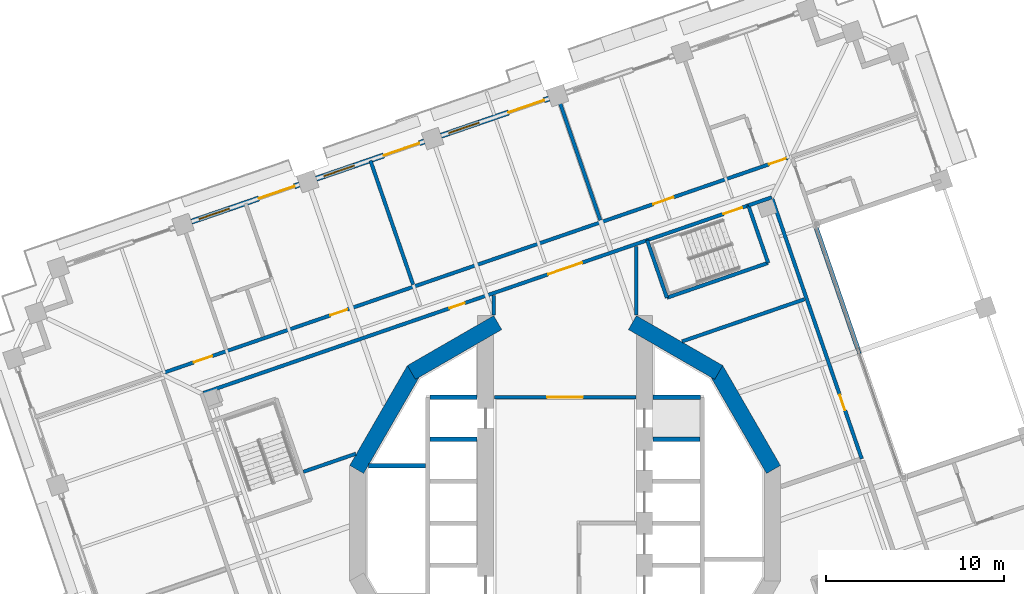
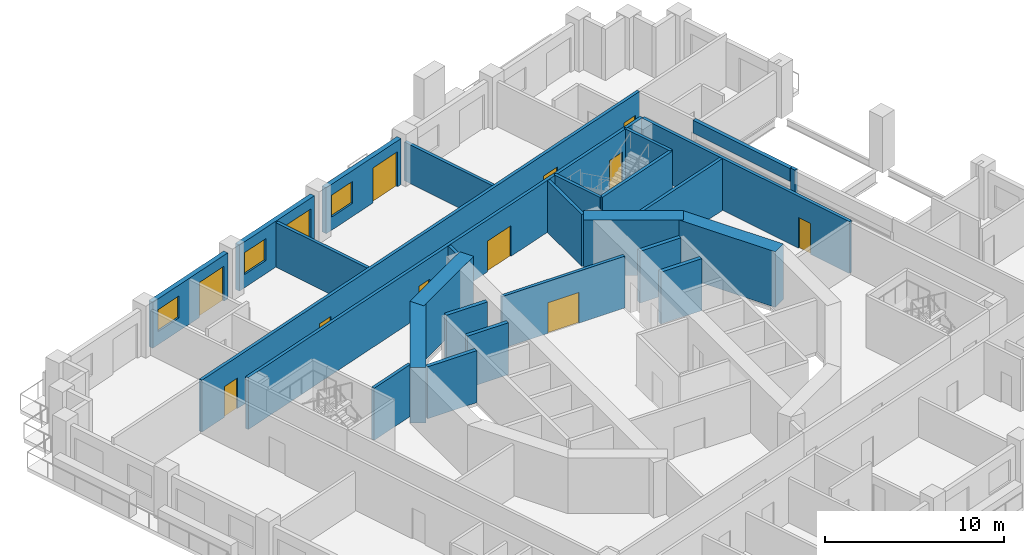
# One storey, part 11 of 19: 29 walls, 12 doors, 3 windows, 15 openings.
"""IFC4 building model written with IfcOpenShell, lengths in metres."""

import ifcopenshell
import ifcopenshell.guid

model = None  # the IFC model being written
_history = None  # IfcOwnerHistory: only IFC2X3 demands one
_inside = {}  # id of a spatial element -> (the spatial element, [elements in it])
_under = {}  # id of a project, library or spatial element -> (it, [spatial elements below it])
_declared = {}  # id of a project -> (the project, [libraries it declares])
_typed = {}  # id of a type object -> (the type object, [elements of that type])
_made_of = {}  # id of a material, layer set ... -> (it, [elements and type objects made of it])


def new_model(schema):
    """Start an empty IFC model of exactly this schema.

    Asked for "IFC4X3", IfcOpenShell would pick the latest addendum, in which some entities
    have other attributes; the version numbers below select the first issue.
    IFC2X3 requires an IfcOwnerHistory on every rooted entity: one is made here for all.
    """
    global model, _history
    if schema == "IFC4X3":
        model = ifcopenshell.file(schema_version=(4, 3, 0, 0))
    else:
        model = ifcopenshell.file(schema=schema)
    _inside.clear()
    _under.clear()
    _declared.clear()
    _typed.clear()
    _made_of.clear()
    _history = None
    if model.schema == "IFC2X3":
        org = make("IfcOrganization", Name="unknown")
        user = make(
            "IfcPersonAndOrganization",
            ThePerson=make("IfcPerson", FamilyName="unknown"),
            TheOrganization=org,
        )
        app = make(
            "IfcApplication",
            ApplicationDeveloper=org,
            Version="unknown",
            ApplicationFullName="unknown",
            ApplicationIdentifier="unknown",
        )
        _history = make(
            "IfcOwnerHistory",
            OwningUser=user,
            OwningApplication=app,
            ChangeAction="ADDED",
            CreationDate=0,
        )
    return model


def make(cls, **values):
    """One entity of the class cls with the attributes given. An attribute that is None is left unset."""
    return model.create_entity(
        cls, **{name: value for name, value in values.items() if value is not None}
    )


def rooted(cls, **values):
    """An entity with a GlobalId (a new one), such as an element, a storey or a relation."""
    return make(cls, GlobalId=ifcopenshell.guid.new(), OwnerHistory=_history, **values)


def si_unit(unit_type, name, prefix=None):
    """IfcSIUnit, for example si_unit("LENGTHUNIT", "METRE", prefix="MILLI")."""
    return make("IfcSIUnit", UnitType=unit_type, Prefix=prefix, Name=name)


def assignment(units):
    """IfcUnitAssignment: the units of a project."""
    return None if units is None else make("IfcUnitAssignment", Units=units)


def point(xyz):
    """IfcCartesianPoint."""
    return None if xyz is None else make("IfcCartesianPoint", Coordinates=xyz)


def direction(xyz):
    """IfcDirection."""
    return None if xyz is None else make("IfcDirection", DirectionRatios=xyz)


def frame(location, z_axis=None, x_axis=None):
    """IfcAxis2Placement3D, a coordinate frame: its origin and axes. An axis left out is left unset."""
    return make(
        "IfcAxis2Placement3D",
        Location=point(location),
        Axis=direction(z_axis),
        RefDirection=direction(x_axis),
    )


def frame_2d(location, x_axis=None):
    """IfcAxis2Placement2D, a coordinate frame in the plane: its origin and x axis."""
    return make(
        "IfcAxis2Placement2D", Location=point(location), RefDirection=direction(x_axis)
    )


def origin():
    """The frame at (0, 0, 0) with its axes left unset."""
    return frame((0.0, 0.0, 0.0))


def place(relative_to, where):
    """IfcLocalPlacement: puts the frame where relative to a parent placement (None: the world)."""
    return make(
        "IfcLocalPlacement", PlacementRelTo=relative_to, RelativePlacement=where
    )


def context(
    kind, dimensions, precision=None, world=None, true_north=None, identifier=None
):
    """IfcGeometricRepresentationContext, for example the 3D "Model" context."""
    return make(
        "IfcGeometricRepresentationContext",
        ContextIdentifier=identifier,
        ContextType=kind,
        CoordinateSpaceDimension=dimensions,
        Precision=precision,
        WorldCoordinateSystem=world,
        TrueNorth=true_north,
    )


def subcontext(parent, identifier, kind, view, scale=None):
    """IfcGeometricRepresentationSubContext, for example "Body" below "Model"."""
    return make(
        "IfcGeometricRepresentationSubContext",
        ContextIdentifier=identifier,
        ContextType=kind,
        ParentContext=parent,
        TargetScale=scale,
        TargetView=view,
    )


def project(units=None, contexts=None):
    """IfcProject with its units and contexts."""
    return rooted(
        "IfcProject",
        Name="project",
        RepresentationContexts=contexts,
        UnitsInContext=assignment(units),
    )


def spatial(cls, under=None, at=None, **own):
    """A site, building, storey or space (cls), placed at a placement, below another one or the project."""
    s = rooted(cls, ObjectPlacement=at, **own)
    if under is not None:
        _under.setdefault(under.id(), (under, []))[1].append(s)
    return s


def profile(cls, at=None, kind="AREA", **sizes):
    """A parametric profile (cls). Its sizes go by their IFC names, for example OverallWidth=200.0."""
    return make(cls, ProfileType=kind, Position=at, **sizes)


def rectangle(**sizes):
    """IfcRectangleProfileDef."""
    return profile("IfcRectangleProfileDef", **sizes)


def extrude(swept, where, along, depth):
    """IfcExtrudedAreaSolid: the profile swept, set in the frame where, extruded along a direction by depth."""
    return make(
        "IfcExtrudedAreaSolid",
        SweptArea=swept,
        Position=where,
        ExtrudedDirection=direction(along),
        Depth=depth,
    )


def shape(context_of_items, identifier, shape_type, items):
    """IfcShapeRepresentation: the items that make up one representation, for example the "Body"."""
    return make(
        "IfcShapeRepresentation",
        ContextOfItems=context_of_items,
        RepresentationIdentifier=identifier,
        RepresentationType=shape_type,
        Items=items,
    )


def material(Name=None, Category=None):
    """IfcMaterial."""
    return make("IfcMaterial", Name=Name, Category=Category)


def layer(
    of_material, thickness, ventilated=None, Name=None, Category=None, Priority=None
):
    """IfcMaterialLayer: one layer of a wall or slab, of a material (None: an air gap)."""
    return make(
        "IfcMaterialLayer",
        Material=of_material,
        LayerThickness=thickness,
        IsVentilated=ventilated,
        Name=Name,
        Category=Category,
        Priority=Priority,
    )


def layer_set(layers, Name=None):
    """IfcMaterialLayerSet."""
    return make("IfcMaterialLayerSet", MaterialLayers=layers, LayerSetName=Name)


def made_of(thing, what):
    """Note that an element or type object is made of a material, layer set ...; save() writes the relation."""
    if what is not None:
        _made_of.setdefault(what.id(), (what, []))[1].append(thing)
    return thing


def type_object(cls, material=None, **own):
    """A type object (cls), such as IfcWallType, which elements share."""
    return made_of(rooted(cls, **own), material)


def element(
    cls,
    number,
    at=None,
    inside=None,
    cuts=None,
    type_object=None,
    material=None,
    context=None,
    identifier="Body",
    shape_type=None,
    held_by="IfcProductDefinitionShape",
    body=None,
    shapes=None,
    **own,
):
    """One element of the class cls, such as IfcWall. Its Tag is "e" and its number.

    at: its placement. inside: the storey or other place that contains it. cuts: it is an
    opening in that element (IfcRelVoidsElement). A single representation is given by context,
    identifier, shape_type and body (its items); several are given by shapes. held_by: the class
    of the entity that holds the representations. save() writes the other relations.
    """
    e = rooted(cls, Tag="e%d" % number, ObjectPlacement=at, **own)
    if body is not None:
        shapes = [shape(context, identifier, shape_type, body)]
    if shapes is not None:
        e.Representation = make(held_by, Representations=shapes)
    if inside is not None:
        _inside.setdefault(inside.id(), (inside, []))[1].append(e)
    if cuts is not None:
        rooted(
            "IfcRelVoidsElement", RelatingBuildingElement=cuts, RelatedOpeningElement=e
        )
    if type_object is not None:
        _typed.setdefault(type_object.id(), (type_object, []))[1].append(e)
    return made_of(e, material)


def fill(opening, filler):
    """IfcRelFillsElement: the door or window that sits in an opening."""
    return rooted(
        "IfcRelFillsElement",
        RelatingOpeningElement=opening,
        RelatedBuildingElement=filler,
    )


def aggregate(whole, parts):
    """IfcRelAggregates: a whole, such as a stair, and the parts it consists of."""
    return rooted("IfcRelAggregates", RelatingObject=whole, RelatedObjects=parts)


def save(model, path):
    """Write the relations noted so far, then the file.

    IfcRelAggregates (storeys below a building ...), IfcRelContainedInSpatialStructure (elements
    in a storey), IfcRelDefinesByType, IfcRelAssociatesMaterial and IfcRelDeclares: one each for
    every whole, place, type object, material and project.
    """
    for whole, parts in _under.values():
        aggregate(whole, parts)
    for where, things in _inside.values():
        rooted(
            "IfcRelContainedInSpatialStructure",
            RelatedElements=things,
            RelatingStructure=where,
        )
    for kind, things in _typed.values():
        rooted("IfcRelDefinesByType", RelatedObjects=things, RelatingType=kind)
    for what, things in _made_of.values():
        rooted("IfcRelAssociatesMaterial", RelatedObjects=things, RelatingMaterial=what)
    for by, libraries in _declared.values():
        rooted("IfcRelDeclares", RelatingContext=by, RelatedDefinitions=libraries)
    model.write(path)


model = new_model("IFC4")

# Units and contexts
model_context = context("Model", 3, precision=1e-05, world=origin(), true_north=direction((0.0, 1.0)))
body_context = subcontext(model_context, "Body", "Model", "MODEL_VIEW")
ifc_project = project(units=[si_unit("LENGTHUNIT", "METRE"), si_unit("AREAUNIT", "SQUARE_METRE"), si_unit("VOLUMEUNIT", "CUBIC_METRE"), si_unit("PLANEANGLEUNIT", "RADIAN"), si_unit("MASSUNIT", "GRAM", prefix="KILO")], contexts=[model_context])

# Site, building, storey
site_placement = place(None, origin())
site = spatial("IfcSite", under=ifc_project, at=site_placement, CompositionType="ELEMENT")
building_placement = place(site_placement, origin())
building = spatial("IfcBuilding", under=site, at=building_placement, Name="Cantera Rosa Tower", CompositionType="ELEMENT")
storey_placement = place(building_placement, frame((0.0, 0.0, 126.89990234375)))
storey = spatial("IfcBuildingStorey", under=building, at=storey_placement, Name="L26", CompositionType="ELEMENT", Elevation=126.89990234375)

# Wall
ifc_material_1 = material(Name="Gypsum board partition")
ifc_layer_1 = layer(ifc_material_1, 0.199951171875)
ifc_layer_set_1 = layer_set([ifc_layer_1], Name="CORRIDOR WALL 200 H3550")
wall_type_1 = type_object("IfcWallType", Name="CORRIDOR WALL 200 H3550", PredefinedType="PARTITIONING", material=ifc_layer_set_1)
wall_1_placement = place(storey_placement, frame((-4.0, 12.760498046875, 0.0), z_axis=(0.0, 0.0, 1.0), x_axis=(0.0, -1.0, 0.0)))
element("IfcWall", 1, at=wall_1_placement, inside=storey, type_object=wall_type_1, Name="CORRIDOR WALL L26-043", PredefinedType="PARTITIONING", context=body_context, shape_type="SweptSolid", body=[
    extrude(rectangle(XDim=1.09326171875, YDim=0.199951171875, at=frame_2d((0.546630859375, 0.0))), origin(), (0.0, 0.0, 1.0), 3.550048828125),
])

# Wall, opening, door
wall_2_placement = place(storey_placement, frame((-3.969970703125, 7.050048828125, 0.0), z_axis=(0.0, 0.0, 1.0), x_axis=(1.0, 0.0, 0.0)))
wall_2 = element("IfcWall", 2, at=wall_2_placement, inside=storey, type_object=wall_type_1, Name="CORRIDOR WALL L26-044", PredefinedType="PARTITIONING", context=body_context, shape_type="SweptSolid", body=[
    extrude(rectangle(XDim=7.93994140625, YDim=0.199951171875, at=frame_2d((3.969970703125, 0.0))), origin(), (0.0, 0.0, 1.0), 3.550048828125),
])
opening_1_placement = place(wall_2_placement, frame((2.969970703125, 0.0, 0.0)))
opening_1 = element("IfcOpeningElement", 3, at=opening_1_placement, cuts=wall_2, Name="Opening L26-010", PredefinedType="OPENING", context=body_context, shape_type="SweptSolid", body=[
    extrude(rectangle(XDim=2.0, YDim=2.10009765625, at=frame_2d((1.0, 1.050048828125))), frame((0.0, 0.10986328125, 0.0), z_axis=(0.0, -1.0, 0.0), x_axis=(1.0, 0.0, 0.0)), (0.0, 0.0, 1.0), 0.219970703125),
])
ifc_material_2 = material(Name="Steel S355J2 (EN 10025-2)", Category="steel")
door_type_1 = type_object("IfcDoorType", Name="LOBBY SCREEN DOOR 2000x2100", OperationType="NOTDEFINED", PredefinedType="DOOR", material=ifc_material_2)
door_1_placement = place(opening_1_placement, origin())
door_1 = element("IfcDoor", 4, at=door_1_placement, inside=storey, type_object=door_type_1, Name="DOOR L26-010", OperationType="NOTDEFINED", OverallHeight=2.10009765625, OverallWidth=2.0, PredefinedType="DOOR", context=body_context, shape_type="SweptSolid", body=[
    extrude(rectangle(XDim=2.0, YDim=2.10009765625, at=frame_2d((1.0, 1.050048828125))), frame((0.0, 0.02490234375, 0.0), z_axis=(0.0, -1.0, 0.0), x_axis=(1.0, 0.0, 0.0)), (0.0, 0.0, 1.0), 0.050048828125),
])
fill(opening_1, door_1)

# Wall
wall_3_placement = place(storey_placement, frame((4.0, 15.51513671875, 0.0), z_axis=(0.0, 0.0, 1.0), x_axis=(0.0, -1.0, 0.0)))
element("IfcWall", 5, at=wall_3_placement, inside=storey, type_object=wall_type_1, Name="CORRIDOR WALL L26-056", PredefinedType="PARTITIONING", context=body_context, shape_type="SweptSolid", body=[
    extrude(rectangle(XDim=3.847900390625, YDim=0.199951171875, at=frame_2d((1.923828125, 0.0))), origin(), (0.0, 0.0, 1.0), 3.550048828125),
])

# Wall, openings, doors
wall_4_placement = place(storey_placement, frame((4.599365234375, 15.861572265625, 0.0), z_axis=(0.0, 0.0, 1.0), x_axis=(-0.94551912499, -0.325566558907, 0.0)))
wall_4 = element("IfcWall", 6, at=wall_4_placement, inside=storey, type_object=wall_type_1, Name="CORRIDOR WALL L26-057", PredefinedType="PARTITIONING", context=body_context, shape_type="SweptSolid", body=[
    extrude(rectangle(XDim=26.292724609375, YDim=0.199951171875, at=frame_2d((13.146484375, 0.0))), origin(), (0.0, 0.0, 1.0), 3.550048828125),
])
opening_2_placement = place(wall_4_placement, frame((10.8095703125, 0.0, 0.0)))
opening_2 = element("IfcOpeningElement", 7, at=opening_2_placement, cuts=wall_4, Name="Opening L26-005", PredefinedType="OPENING", context=body_context, shape_type="SweptSolid", body=[
    extrude(rectangle(XDim=0.89990234375, YDim=2.10009765625, at=frame_2d((0.449951171875, 1.050048828125))), frame((0.0, 0.10986328125, 0.0), z_axis=(0.0, -1.0, 0.0), x_axis=(1.0, 0.0, 0.0)), (0.0, 0.0, 1.0), 0.219970703125),
])
opening_3_placement = place(wall_4_placement, frame((3.864501953125, 0.0, 0.0)))
opening_3 = element("IfcOpeningElement", 8, at=opening_3_placement, cuts=wall_4, Name="Opening L26-009", PredefinedType="OPENING", context=body_context, shape_type="SweptSolid", body=[
    extrude(rectangle(XDim=2.0, YDim=2.10009765625, at=frame_2d((1.0, 1.050048828125))), frame((0.0, 0.10986328125, 0.0), z_axis=(0.0, -1.0, 0.0), x_axis=(1.0, 0.0, 0.0)), (0.0, 0.0, 1.0), 0.219970703125),
])
door_2_placement = place(opening_3_placement, origin())
door_2 = element("IfcDoor", 9, at=door_2_placement, inside=storey, type_object=door_type_1, Name="DOOR L26-009", OperationType="NOTDEFINED", OverallHeight=2.10009765625, OverallWidth=2.0, PredefinedType="DOOR", context=body_context, shape_type="SweptSolid", body=[
    extrude(rectangle(XDim=2.0, YDim=2.10009765625, at=frame_2d((1.0, 1.050048828125))), frame((0.0, 0.02490234375, 0.0), z_axis=(0.0, -1.0, 0.0), x_axis=(1.0, 0.0, 0.0)), (0.0, 0.0, 1.0), 0.050048828125),
])
fill(opening_3, door_2)
ifc_material_3 = material(Name="Timber door leaf", Category="wood")
door_type_2 = type_object("IfcDoorType", Name="SERVICE DOOR 900x2100", OperationType="NOTDEFINED", PredefinedType="DOOR", material=ifc_material_3)
door_3_placement = place(opening_2_placement, origin())
door_3 = element("IfcDoor", 10, at=door_3_placement, inside=storey, type_object=door_type_2, Name="DOOR L26-005", OperationType="NOTDEFINED", OverallHeight=2.10009765625, OverallWidth=0.89990234375, PredefinedType="DOOR", context=body_context, shape_type="SweptSolid", body=[
    extrude(rectangle(XDim=0.89990234375, YDim=2.10009765625, at=frame_2d((0.449951171875, 1.050048828125))), frame((0.0, 0.02490234375, 0.0), z_axis=(0.0, -1.0, 0.0), x_axis=(1.0, 0.0, 0.0)), (0.0, 0.0, 1.0), 0.050048828125),
])
fill(opening_2, door_3)

# Wall
wall_5_placement = place(storey_placement, frame((11.583984375, 18.2666015625, 0.0), z_axis=(0.0, 0.0, 1.0), x_axis=(-0.945503834334, -0.325610963052, 0.0)))
element("IfcWall", 11, at=wall_5_placement, inside=storey, type_object=wall_type_1, Name="CORRIDOR WALL L26-076", PredefinedType="PARTITIONING", context=body_context, shape_type="SweptSolid", body=[
    extrude(rectangle(XDim=1.38720703125, YDim=0.199951171875, at=frame_2d((0.693603515625, 0.0))), origin(), (0.0, 0.0, 1.0), 3.550048828125),
])

# Wall, openings, doors
wall_6_placement = place(storey_placement, frame((12.699951171875, 20.5546875, 0.0), z_axis=(0.0, 0.0, 1.0), x_axis=(-0.945517119144, -0.32557238428, 0.0)))
wall_6 = element("IfcWall", 12, at=wall_6_placement, inside=storey, type_object=wall_type_1, Name="CORRIDOR WALL L26-078", PredefinedType="PARTITIONING", context=body_context, shape_type="SweptSolid", body=[
    extrude(rectangle(XDim=37.380126953125, YDim=0.199951171875, at=frame_2d((18.68994140625, 0.0))), origin(), (0.0, 0.0, 1.0), 3.550048828125),
])
opening_4_placement = place(wall_6_placement, frame((7.0, 0.0, 0.0)))
opening_4 = element("IfcOpeningElement", 13, at=opening_4_placement, cuts=wall_6, Name="Opening L26-020", PredefinedType="OPENING", context=body_context, shape_type="SweptSolid", body=[
    extrude(rectangle(XDim=1.199951171875, YDim=2.10009765625, at=frame_2d((0.60009765625, 1.050048828125))), frame((0.0, 0.10986328125, 0.0), z_axis=(0.0, -1.0, 0.0), x_axis=(1.0, 0.0, 0.0)), (0.0, 0.0, 1.0), 0.219970703125),
])
opening_5_placement = place(wall_6_placement, frame((26.35009765625, 0.0, 0.0)))
opening_5 = element("IfcOpeningElement", 14, at=opening_5_placement, cuts=wall_6, Name="Opening L26-021", PredefinedType="OPENING", context=body_context, shape_type="SweptSolid", body=[
    extrude(rectangle(XDim=1.0, YDim=2.10009765625, at=frame_2d((0.5, 1.050048828125))), frame((0.0, 0.10986328125, 0.0), z_axis=(0.0, -1.0, 0.0), x_axis=(1.0, 0.0, 0.0)), (0.0, 0.0, 1.0), 0.219970703125),
])
opening_6_placement = place(wall_6_placement, frame((0.35009765625, 0.0, 0.0)))
opening_6 = element("IfcOpeningElement", 15, at=opening_6_placement, cuts=wall_6, Name="Opening L26-024", PredefinedType="OPENING", context=body_context, shape_type="SweptSolid", body=[
    extrude(rectangle(XDim=1.0, YDim=2.10009765625, at=frame_2d((0.5, 1.050048828125))), frame((0.0, 0.10986328125, 0.0), z_axis=(0.0, -1.0, 0.0), x_axis=(1.0, 0.0, 0.0)), (0.0, 0.0, 1.0), 0.219970703125),
])
opening_7_placement = place(wall_6_placement, frame((34.35009765625, 0.0, 0.0)))
opening_7 = element("IfcOpeningElement", 16, at=opening_7_placement, cuts=wall_6, Name="Opening L26-026", PredefinedType="OPENING", context=body_context, shape_type="SweptSolid", body=[
    extrude(rectangle(XDim=1.10009765625, YDim=2.10009765625, at=frame_2d((0.550048828125, 1.050048828125))), frame((0.0, 0.10986328125, 0.0), z_axis=(0.0, -1.0, 0.0), x_axis=(1.0, 0.0, 0.0)), (0.0, 0.0, 1.0), 0.219970703125),
])
ifc_material_4 = material(Name="Timber door leaf", Category="wood")
door_type_3 = type_object("IfcDoorType", Name="ENTRANCE DOOR 1000x2100", OperationType="NOTDEFINED", PredefinedType="DOOR", material=ifc_material_4)
door_4_placement = place(opening_5_placement, origin())
door_4 = element("IfcDoor", 17, at=door_4_placement, inside=storey, type_object=door_type_3, Name="DOOR L26-021", OperationType="NOTDEFINED", OverallHeight=2.10009765625, OverallWidth=1.0, PredefinedType="DOOR", context=body_context, shape_type="SweptSolid", body=[
    extrude(rectangle(XDim=1.0, YDim=2.10009765625, at=frame_2d((0.5, 1.050048828125))), frame((0.0, 0.02490234375, 0.0), z_axis=(0.0, -1.0, 0.0), x_axis=(1.0, 0.0, 0.0)), (0.0, 0.0, 1.0), 0.050048828125),
])
fill(opening_5, door_4)
door_5_placement = place(opening_6_placement, origin())
door_5 = element("IfcDoor", 18, at=door_5_placement, inside=storey, type_object=door_type_3, Name="DOOR L26-024", OperationType="NOTDEFINED", OverallHeight=2.10009765625, OverallWidth=1.0, PredefinedType="DOOR", context=body_context, shape_type="SweptSolid", body=[
    extrude(rectangle(XDim=1.0, YDim=2.10009765625, at=frame_2d((0.5, 1.050048828125))), frame((0.0, 0.02490234375, 0.0), z_axis=(0.0, -1.0, 0.0), x_axis=(1.0, 0.0, 0.0)), (0.0, 0.0, 1.0), 0.050048828125),
])
fill(opening_6, door_5)
ifc_material_5 = material(Name="Timber door leaf", Category="wood")
door_type_4 = type_object("IfcDoorType", Name="ROOM DOOR 1100x2100", OperationType="NOTDEFINED", PredefinedType="DOOR", material=ifc_material_5)
door_6_placement = place(opening_7_placement, origin())
door_6 = element("IfcDoor", 19, at=door_6_placement, inside=storey, type_object=door_type_4, Name="DOOR L26-026", OperationType="NOTDEFINED", OverallHeight=2.10009765625, OverallWidth=1.10009765625, PredefinedType="DOOR", context=body_context, shape_type="SweptSolid", body=[
    extrude(rectangle(XDim=1.10009765625, YDim=2.10009765625, at=frame_2d((0.550048828125, 1.050048828125))), frame((0.0, 0.02490234375, 0.0), z_axis=(0.0, -1.0, 0.0), x_axis=(1.0, 0.0, 0.0)), (0.0, 0.0, 1.0), 0.050048828125),
])
fill(opening_7, door_6)
ifc_material_6 = material(Name="Timber door leaf", Category="wood")
door_type_5 = type_object("IfcDoorType", Name="ROOM DOOR 1200x2100", OperationType="NOTDEFINED", PredefinedType="DOOR", material=ifc_material_6)
door_7_placement = place(opening_4_placement, origin())
door_7 = element("IfcDoor", 20, at=door_7_placement, inside=storey, type_object=door_type_5, Name="DOOR L26-020", OperationType="NOTDEFINED", OverallHeight=2.10009765625, OverallWidth=1.199951171875, PredefinedType="DOOR", context=body_context, shape_type="SweptSolid", body=[
    extrude(rectangle(XDim=1.199951171875, YDim=2.10009765625, at=frame_2d((0.60009765625, 1.050048828125))), frame((0.0, 0.02490234375, 0.0), z_axis=(0.0, -1.0, 0.0), x_axis=(1.0, 0.0, 0.0)), (0.0, 0.0, 1.0), 0.050048828125),
])
fill(opening_4, door_7)

# Wall, opening, door
wall_7_placement = place(storey_placement, frame((16.63037109375, 3.611083984375, 0.0), z_axis=(0.0, 0.0, 1.0), x_axis=(-0.325562662284, 0.945520466689, 0.0)))
wall_7 = element("IfcWall", 21, at=wall_7_placement, inside=storey, type_object=wall_type_1, Name="CORRIDOR WALL L26-084", PredefinedType="PARTITIONING", context=body_context, shape_type="SweptSolid", body=[
    extrude(rectangle(XDim=15.39990234375, YDim=0.199951171875, at=frame_2d((7.699951171875, 0.0))), origin(), (0.0, 0.0, 1.0), 3.550048828125),
])
opening_8_placement = place(wall_7_placement, frame((2.875, 0.0, 0.0)))
opening_8 = element("IfcOpeningElement", 22, at=opening_8_placement, cuts=wall_7, Name="Opening L26-004", PredefinedType="OPENING", context=body_context, shape_type="SweptSolid", body=[
    extrude(rectangle(XDim=0.89990234375, YDim=2.10009765625, at=frame_2d((0.449951171875, 1.050048828125))), frame((0.0, 0.10986328125, 0.0), z_axis=(0.0, -1.0, 0.0), x_axis=(1.0, 0.0, 0.0)), (0.0, 0.0, 1.0), 0.219970703125),
])
door_8_placement = place(opening_8_placement, origin())
door_8 = element("IfcDoor", 23, at=door_8_placement, inside=storey, type_object=door_type_2, Name="DOOR L26-004", OperationType="NOTDEFINED", OverallHeight=2.10009765625, OverallWidth=0.89990234375, PredefinedType="DOOR", context=body_context, shape_type="SweptSolid", body=[
    extrude(rectangle(XDim=0.89990234375, YDim=2.10009765625, at=frame_2d((0.449951171875, 1.050048828125))), frame((0.0, 0.02490234375, 0.0), z_axis=(0.0, -1.0, 0.0), x_axis=(1.0, 0.0, 0.0)), (0.0, 0.0, 1.0), 0.050048828125),
])
fill(opening_8, door_8)

# Wall
wall_8_placement = place(storey_placement, frame((16.510986328125, 9.486328125, 0.0), z_axis=(0.0, 0.0, 1.0), x_axis=(-0.325038663905, 0.945700728014, 0.0)))
element("IfcWall", 24, at=wall_8_placement, inside=storey, type_object=wall_type_1, Name="CORRIDOR WALL L26-099", PredefinedType="PARTITIONING", context=body_context, shape_type="SweptSolid", body=[
    extrude(rectangle(XDim=0.33203125, YDim=0.199951171875, at=frame_2d((0.166015625, 0.0))), origin(), (0.0, 0.0, 1.0), 3.550048828125),
])

# Wall, openings, window, door
ifc_material_7 = material(Name="Hollow clay masonry with cantera stone cladding", Category="masonry")
ifc_layer_2 = layer(ifc_material_7, 0.300048828125)
ifc_layer_set_2 = layer_set([ifc_layer_2], Name="EW-LOGGIA 300 H3140")
wall_type_2 = type_object("IfcWallType", Name="EW-LOGGIA 300 H3140", PredefinedType="SOLIDWALL", material=ifc_layer_set_2)
wall_9_placement = place(storey_placement, frame((-0.89892578125, 23.80419921875, 0.0), z_axis=(0.0, 0.0, 1.0), x_axis=(-0.945524496524, -0.325550958337, 0.0)))
wall_9 = element("IfcWall", 25, at=wall_9_placement, inside=storey, type_object=wall_type_2, Name="EN-L26-W10", PredefinedType="SOLIDWALL", context=body_context, shape_type="SweptSolid", body=[
    extrude(rectangle(XDim=6.39990234375, YDim=0.300048828125, at=frame_2d((3.199951171875, 0.0))), origin(), (0.0, 0.0, 1.0), 3.14013671875),
])
opening_9_placement = place(wall_9_placement, frame((0.300048828125, 0.0, 0.0)))
opening_9 = element("IfcOpeningElement", 26, at=opening_9_placement, cuts=wall_9, Name="Opening L26-TD11", PredefinedType="OPENING", context=body_context, shape_type="SweptSolid", body=[
    extrude(rectangle(XDim=2.10009765625, YDim=2.39990234375, at=frame_2d((1.050048828125, 1.199951171875))), frame((0.0, 0.159912109375, 0.0), z_axis=(0.0, -1.0, 0.0), x_axis=(1.0, 0.0, 0.0)), (0.0, 0.0, 1.0), 0.320068359375),
])
opening_10_placement = place(wall_9_placement, frame((4.14990234375, 0.0, 0.89990234375)))
opening_10 = element("IfcOpeningElement", 27, at=opening_10_placement, cuts=wall_9, Name="Opening L26-W12", PredefinedType="OPENING", context=body_context, shape_type="SweptSolid", body=[
    extrude(rectangle(XDim=1.800048828125, YDim=1.5, at=frame_2d((0.89990234375, 0.75))), frame((0.0, 0.159912109375, 0.0), z_axis=(0.0, -1.0, 0.0), x_axis=(1.0, 0.0, 0.0)), (0.0, 0.0, 1.0), 0.320068359375),
])
ifc_material_8 = material(Name="Aluminium frame with clear glass", Category="aluminium")
window_type = type_object("IfcWindowType", Name="Hotel room window 1800x1500", PartitioningType="DOUBLE_PANEL_VERTICAL", PredefinedType="WINDOW", material=ifc_material_8)
window_1_placement = place(opening_10_placement, origin())
window_1 = element("IfcWindow", 28, at=window_1_placement, inside=storey, type_object=window_type, Name="WINDOW L26-W12", OverallHeight=1.5, OverallWidth=1.800048828125, PartitioningType="SINGLE_PANEL", PredefinedType="WINDOW", context=body_context, shape_type="SweptSolid", body=[
    extrude(rectangle(XDim=1.800048828125, YDim=1.5, at=frame_2d((0.89990234375, 0.75))), frame((0.0, 0.030029296875, 0.0), z_axis=(0.0, -1.0, 0.0), x_axis=(1.0, 0.0, 0.0)), (0.0, 0.0, 1.0), 0.06005859375),
])
fill(opening_10, window_1)
ifc_material_9 = material(Name="Aluminium frame with clear glass", Category="aluminium")
door_type_6 = type_object("IfcDoorType", Name="TD-H 2100x2400", OperationType="NOTDEFINED", PredefinedType="DOOR", material=ifc_material_9)
door_9_placement = place(opening_9_placement, origin())
door_9 = element("IfcDoor", 29, at=door_9_placement, inside=storey, type_object=door_type_6, Name="LOGGIA DOOR L26-TD11", OperationType="SLIDING_TO_LEFT", OverallHeight=2.39990234375, OverallWidth=2.10009765625, PredefinedType="DOOR", context=body_context, shape_type="SweptSolid", body=[
    extrude(rectangle(XDim=2.10009765625, YDim=2.39990234375, at=frame_2d((1.050048828125, 1.199951171875))), frame((0.0, 0.02490234375, 0.0), z_axis=(0.0, -1.0, 0.0), x_axis=(1.0, 0.0, 0.0)), (0.0, 0.0, 1.0), 0.050048828125),
])
fill(opening_9, door_9)

wall_10_placement = place(storey_placement, frame((-7.895751953125, 21.39501953125, 0.0), z_axis=(0.0, 0.0, 1.0), x_axis=(-0.945524496524, -0.325550958337, 0.0)))
wall_10 = element("IfcWall", 30, at=wall_10_placement, inside=storey, type_object=wall_type_2, Name="EN-L26-W11", PredefinedType="SOLIDWALL", context=body_context, shape_type="SweptSolid", body=[
    extrude(rectangle(XDim=6.39990234375, YDim=0.300048828125, at=frame_2d((3.199951171875, 0.0))), origin(), (0.0, 0.0, 1.0), 3.14013671875),
])
opening_11_placement = place(wall_10_placement, frame((0.300048828125, 0.0, 0.0)))
opening_11 = element("IfcOpeningElement", 31, at=opening_11_placement, cuts=wall_10, Name="Opening L26-TD13", PredefinedType="OPENING", context=body_context, shape_type="SweptSolid", body=[
    extrude(rectangle(XDim=2.10009765625, YDim=2.39990234375, at=frame_2d((1.050048828125, 1.199951171875))), frame((0.0, 0.159912109375, 0.0), z_axis=(0.0, -1.0, 0.0), x_axis=(1.0, 0.0, 0.0)), (0.0, 0.0, 1.0), 0.320068359375),
])
opening_12_placement = place(wall_10_placement, frame((4.14990234375, 0.0, 0.89990234375)))
opening_12 = element("IfcOpeningElement", 32, at=opening_12_placement, cuts=wall_10, Name="Opening L26-W14", PredefinedType="OPENING", context=body_context, shape_type="SweptSolid", body=[
    extrude(rectangle(XDim=1.800048828125, YDim=1.5, at=frame_2d((0.89990234375, 0.75))), frame((0.0, 0.159912109375, 0.0), z_axis=(0.0, -1.0, 0.0), x_axis=(1.0, 0.0, 0.0)), (0.0, 0.0, 1.0), 0.320068359375),
])
window_2_placement = place(opening_12_placement, origin())
window_2 = element("IfcWindow", 33, at=window_2_placement, inside=storey, type_object=window_type, Name="WINDOW L26-W14", OverallHeight=1.5, OverallWidth=1.800048828125, PartitioningType="SINGLE_PANEL", PredefinedType="WINDOW", context=body_context, shape_type="SweptSolid", body=[
    extrude(rectangle(XDim=1.800048828125, YDim=1.5, at=frame_2d((0.89990234375, 0.75))), frame((0.0, 0.030029296875, 0.0), z_axis=(0.0, -1.0, 0.0), x_axis=(1.0, 0.0, 0.0)), (0.0, 0.0, 1.0), 0.06005859375),
])
fill(opening_12, window_2)
door_10_placement = place(opening_11_placement, origin())
door_10 = element("IfcDoor", 34, at=door_10_placement, inside=storey, type_object=door_type_6, Name="LOGGIA DOOR L26-TD13", OperationType="SLIDING_TO_LEFT", OverallHeight=2.39990234375, OverallWidth=2.10009765625, PredefinedType="DOOR", context=body_context, shape_type="SweptSolid", body=[
    extrude(rectangle(XDim=2.10009765625, YDim=2.39990234375, at=frame_2d((1.050048828125, 1.199951171875))), frame((0.0, 0.02490234375, 0.0), z_axis=(0.0, -1.0, 0.0), x_axis=(1.0, 0.0, 0.0)), (0.0, 0.0, 1.0), 0.050048828125),
])
fill(opening_11, door_10)

wall_11_placement = place(storey_placement, frame((-14.892578125, 18.98583984375, 0.0), z_axis=(0.0, 0.0, 1.0), x_axis=(-0.945512753621, -0.325585062219, 0.0)))
wall_11 = element("IfcWall", 35, at=wall_11_placement, inside=storey, type_object=wall_type_2, Name="EN-L26-W12", PredefinedType="SOLIDWALL", context=body_context, shape_type="SweptSolid", body=[
    extrude(rectangle(XDim=6.39990234375, YDim=0.300048828125, at=frame_2d((3.199951171875, 0.0))), origin(), (0.0, 0.0, 1.0), 3.14013671875),
])
opening_13_placement = place(wall_11_placement, frame((0.300048828125, 0.0, 0.0)))
opening_13 = element("IfcOpeningElement", 36, at=opening_13_placement, cuts=wall_11, Name="Opening L26-TD15", PredefinedType="OPENING", context=body_context, shape_type="SweptSolid", body=[
    extrude(rectangle(XDim=2.10009765625, YDim=2.39990234375, at=frame_2d((1.050048828125, 1.199951171875))), frame((0.0, 0.159912109375, 0.0), z_axis=(0.0, -1.0, 0.0), x_axis=(1.0, 0.0, 0.0)), (0.0, 0.0, 1.0), 0.320068359375),
])
opening_14_placement = place(wall_11_placement, frame((4.14990234375, 0.0, 0.89990234375)))
opening_14 = element("IfcOpeningElement", 37, at=opening_14_placement, cuts=wall_11, Name="Opening L26-W16", PredefinedType="OPENING", context=body_context, shape_type="SweptSolid", body=[
    extrude(rectangle(XDim=1.800048828125, YDim=1.5, at=frame_2d((0.89990234375, 0.75))), frame((0.0, 0.159912109375, 0.0), z_axis=(0.0, -1.0, 0.0), x_axis=(1.0, 0.0, 0.0)), (0.0, 0.0, 1.0), 0.320068359375),
])
window_3_placement = place(opening_14_placement, origin())
window_3 = element("IfcWindow", 38, at=window_3_placement, inside=storey, type_object=window_type, Name="WINDOW L26-W16", OverallHeight=1.5, OverallWidth=1.800048828125, PartitioningType="SINGLE_PANEL", PredefinedType="WINDOW", context=body_context, shape_type="SweptSolid", body=[
    extrude(rectangle(XDim=1.800048828125, YDim=1.5, at=frame_2d((0.89990234375, 0.75))), frame((0.0, 0.030029296875, 0.0), z_axis=(0.0, -1.0, 0.0), x_axis=(1.0, 0.0, 0.0)), (0.0, 0.0, 1.0), 0.06005859375),
])
fill(opening_14, window_3)
door_11_placement = place(opening_13_placement, origin())
door_11 = element("IfcDoor", 39, at=door_11_placement, inside=storey, type_object=door_type_6, Name="LOGGIA DOOR L26-TD15", OperationType="SLIDING_TO_LEFT", OverallHeight=2.39990234375, OverallWidth=2.10009765625, PredefinedType="DOOR", context=body_context, shape_type="SweptSolid", body=[
    extrude(rectangle(XDim=2.10009765625, YDim=2.39990234375, at=frame_2d((1.050048828125, 1.199951171875))), frame((0.0, 0.02490234375, 0.0), z_axis=(0.0, -1.0, 0.0), x_axis=(1.0, 0.0, 0.0)), (0.0, 0.0, 1.0), 0.050048828125),
])
fill(opening_13, door_11)

# Walls
ifc_material_10 = material(Name="Hollow clay masonry with cantera stone cladding", Category="masonry")
ifc_layer_3 = layer(ifc_material_10, 0.25)
ifc_layer_set_3 = layer_set([ifc_layer_3], Name="EW-POCKET REAR 250")
wall_type_3 = type_object("IfcWallType", Name="EW-POCKET REAR 250", PredefinedType="SOLIDWALL", material=ifc_layer_set_3)
wall_12_placement = place(storey_placement, frame((16.403076171875, 9.80029296875, 2.634033203125), z_axis=(0.0, 0.0, 1.0), x_axis=(-0.325563921786, 0.945520033014, 0.0)))
element("IfcWall", 40, at=wall_12_placement, inside=storey, type_object=wall_type_3, Name="POCKET SPANDREL L26-2", PredefinedType="SOLIDWALL", context=body_context, shape_type="SweptSolid", body=[
    extrude(rectangle(XDim=7.22900390625, YDim=0.25, at=frame_2d((3.614501953125, 0.0))), origin(), (0.0, 0.0, 1.0), 0.865966796875),
])
ifc_material_11 = material(Name="Gypsum board partition")
ifc_layer_4 = layer(ifc_material_11, 0.199951171875)
ifc_layer_set_4 = layer_set([ifc_layer_4], Name="PARTITION 200 H2650")
wall_type_4 = type_object("IfcWallType", Name="PARTITION 200 H2650", PredefinedType="PARTITIONING", material=ifc_layer_set_4)
wall_13_placement = place(storey_placement, frame((1.9765625, 16.989013671875, 0.0), z_axis=(0.0, 0.0, 1.0), x_axis=(-0.325549451152, 0.945525015457, 0.0)))
element("IfcWall", 41, at=wall_13_placement, inside=storey, type_object=wall_type_4, Name="PARTITION L26-049", PredefinedType="PARTITIONING", context=body_context, shape_type="SweptSolid", body=[
    extrude(rectangle(XDim=7.35009765625, YDim=0.199951171875, at=frame_2d((3.675048828125, 0.0))), origin(), (0.0, 0.0, 1.0), 2.650146484375),
])
ifc_material_12 = material(Name="Gypsum board partition")
ifc_layer_5 = layer(ifc_material_12, 0.199951171875)
ifc_layer_set_5 = layer_set([ifc_layer_5], Name="PARTITION 200 H3050")
wall_type_5 = type_object("IfcWallType", Name="PARTITION 200 H3050", PredefinedType="PARTITIONING", material=ifc_layer_set_5)
wall_14_placement = place(storey_placement, frame((-10.91162109375, 20.324951171875, 0.0), z_axis=(0.0, 0.0, 1.0), x_axis=(0.325549451152, -0.945525015457, 0.0)))
element("IfcWall", 42, at=wall_14_placement, inside=storey, type_object=wall_type_5, Name="PARTITION L26-026", PredefinedType="PARTITIONING", context=body_context, shape_type="SweptSolid", body=[
    extrude(rectangle(XDim=7.35009765625, YDim=0.199951171875, at=frame_2d((3.675048828125, 0.0))), origin(), (0.0, 0.0, 1.0), 3.050048828125),
])
ifc_material_13 = material(Name="Gypsum board partition")
ifc_layer_6 = layer(ifc_material_13, 0.199951171875)
ifc_layer_set_6 = layer_set([ifc_layer_6], Name="PARTITION 200 H3550")
wall_type_6 = type_object("IfcWallType", Name="PARTITION 200 H3550", PredefinedType="PARTITIONING", material=ifc_layer_set_6)
wall_15_placement = place(storey_placement, frame((-11.728515625, 3.893798828125, 0.0), z_axis=(0.0, 0.0, 1.0), x_axis=(-0.945518607186, -0.325568062721, 0.0)))
element("IfcWall", 43, at=wall_15_placement, inside=storey, type_object=wall_type_6, Name="PARTITION L26-022", PredefinedType="PARTITIONING", context=body_context, shape_type="SweptSolid", body=[
    extrude(rectangle(XDim=3.11572265625, YDim=0.199951171875, at=frame_2d((1.557861328125, 0.0))), origin(), (0.0, 0.0, 1.0), 3.550048828125),
])
wall_16_placement = place(storey_placement, frame((6.55810546875, 10.190185546875, 0.0), z_axis=(0.0, 0.0, 1.0), x_axis=(0.945513664342, 0.325582417434, 0.0)))
element("IfcWall", 44, at=wall_16_placement, inside=storey, type_object=wall_type_6, Name="PARTITION L26-063", PredefinedType="PARTITIONING", context=body_context, shape_type="SweptSolid", body=[
    extrude(rectangle(XDim=7.26171875, YDim=0.199951171875, at=frame_2d((3.630859375, 0.0))), origin(), (0.0, 0.0, 1.0), 3.550048828125),
])
ifc_material_14 = material(Name="Concrete C70/85", Category="concrete")
ifc_layer_7 = layer(ifc_material_14, 0.89990234375)
ifc_layer_set_7 = layer_set([ifc_layer_7], Name="RC CORE WALL 900 C70/85")
wall_type_7 = type_object("IfcWallType", Name="RC CORE WALL 900 C70/85", PredefinedType="SHEAR", material=ifc_layer_set_7)
wall_17_placement = place(storey_placement, frame((-11.684326171875, 3.01025390625, 0.0), z_axis=(0.0, 0.0, 1.0), x_axis=(0.499990282633, 0.866031014036, 0.0)))
element("IfcWall", 45, at=wall_17_placement, inside=storey, type_object=wall_type_7, Name="CW-W4 L26", PredefinedType="SHEAR", context=body_context, shape_type="SweptSolid", body=[
    extrude(rectangle(XDim=6.470458984375, YDim=0.89990234375, at=frame_2d((3.2353515625, 0.0))), origin(), (0.0, 0.0, 1.0), 3.800048828125),
])
for number, where, z_axis, x_axis, name in (
    (46, (-8.61376953125, 8.44921875, 0.0), (0.0, 0.0, 1.0), (0.866026961591, 0.49999730179, 0.0), "CW-W5 L26"),
    (47, (3.77490234375, 11.242919921875, 0.0), (0.0, 0.0, 1.0), (0.866026961591, -0.49999730179, 0.0), "CW-E1 L26"),
):
    element("IfcWall", number, at=place(storey_placement, frame(where, z_axis=z_axis, x_axis=x_axis)), inside=storey, type_object=wall_type_7, Name=name, PredefinedType="SHEAR", context=body_context, shape_type="SweptSolid", body=[
        extrude(rectangle(XDim=5.58740234375, YDim=0.89990234375, at=frame_2d((2.793701171875, 0.0))), origin(), (0.0, 0.0, 1.0), 3.800048828125),
    ])
wall_18_placement = place(storey_placement, frame((8.44921875, 8.61376953125, 0.0), z_axis=(0.0, 0.0, 1.0), x_axis=(0.499990282633, -0.866031014036, 0.0)))
element("IfcWall", 48, at=wall_18_placement, inside=storey, type_object=wall_type_7, Name="CW-E2 L26", PredefinedType="SHEAR", context=body_context, shape_type="SweptSolid", body=[
    extrude(rectangle(XDim=6.470458984375, YDim=0.89990234375, at=frame_2d((3.2353515625, 0.0))), origin(), (0.0, 0.0, 1.0), 3.800048828125),
])
ifc_material_15 = material(Name="Masonry blockwork", Category="masonry")
ifc_layer_8 = layer(ifc_material_15, 0.25)
ifc_layer_set_8 = layer_set([ifc_layer_8], Name="SHAFT WALL 250 H3550")
wall_type_8 = type_object("IfcWallType", Name="SHAFT WALL 250 H3550", PredefinedType="SOLIDWALL", material=ifc_layer_set_8)
wall_19_placement = place(storey_placement, frame((-11.0068359375, 3.2236328125, 0.0), z_axis=(0.0, 0.0, 1.0), x_axis=(1.0, 0.0, 0.0)))
element("IfcWall", 49, at=wall_19_placement, inside=storey, type_object=wall_type_8, Name="SHAFT WALL L26-025", PredefinedType="SOLIDWALL", context=body_context, shape_type="SweptSolid", body=[
    extrude(rectangle(XDim=3.181884765625, YDim=0.25, at=frame_2d((1.5908203125, 0.0))), origin(), (0.0, 0.0, 1.0), 3.550048828125),
])
wall_20_placement = place(storey_placement, frame((-7.574951171875, 4.699951171875, 0.0), z_axis=(0.0, 0.0, 1.0), x_axis=(1.0, 0.0, 0.0)))
element("IfcWall", 50, at=wall_20_placement, inside=storey, type_object=wall_type_8, Name="SHAFT WALL L26-037", PredefinedType="SOLIDWALL", context=body_context, shape_type="SweptSolid", body=[
    extrude(rectangle(XDim=2.64501953125, YDim=0.25, at=frame_2d((1.322509765625, 0.0))), origin(), (0.0, 0.0, 1.0), 3.550048828125),
])
wall_21_placement = place(storey_placement, frame((-4.929931640625, 7.050048828125, 0.0), z_axis=(0.0, 0.0, 1.0), x_axis=(-1.0, 0.0, 0.0)))
element("IfcWall", 51, at=wall_21_placement, inside=storey, type_object=wall_type_8, Name="SHAFT WALL L26-041", PredefinedType="SOLIDWALL", context=body_context, shape_type="SweptSolid", body=[
    extrude(rectangle(XDim=2.650146484375, YDim=0.25, at=frame_2d((1.3251953125, 0.0))), origin(), (0.0, 0.0, 1.0), 3.550048828125),
])
wall_22_placement = place(storey_placement, frame((7.574951171875, 4.699951171875, 0.0), z_axis=(0.0, 0.0, 1.0), x_axis=(-1.0, 0.0, 0.0)))
element("IfcWall", 52, at=wall_22_placement, inside=storey, type_object=wall_type_8, Name="SHAFT WALL L26-069", PredefinedType="SOLIDWALL", context=body_context, shape_type="SweptSolid", body=[
    extrude(rectangle(XDim=2.64501953125, YDim=0.25, at=frame_2d((1.322509765625, 0.0))), origin(), (0.0, 0.0, 1.0), 3.550048828125),
])
wall_23_placement = place(storey_placement, frame((7.580078125, 7.050048828125, 0.0), z_axis=(0.0, 0.0, 1.0), x_axis=(-1.0, 0.0, 0.0)))
element("IfcWall", 53, at=wall_23_placement, inside=storey, type_object=wall_type_8, Name="SHAFT WALL L26-070", PredefinedType="SOLIDWALL", context=body_context, shape_type="SweptSolid", body=[
    extrude(rectangle(XDim=2.650146484375, YDim=0.25, at=frame_2d((1.3251953125, 0.0))), origin(), (0.0, 0.0, 1.0), 3.550048828125),
])
ifc_material_16 = material(Name="Concrete C50/60", Category="concrete")
ifc_layer_9 = layer(ifc_material_16, 0.199951171875)
ifc_layer_set_9 = layer_set([ifc_layer_9], Name="STAIR WALL 200 H3550")
wall_type_9 = type_object("IfcWallType", Name="STAIR WALL 200 H3550", PredefinedType="SOLIDWALL", material=ifc_layer_set_9)
wall_24_placement = place(storey_placement, frame((5.708740234375, 12.6396484375, 0.0), z_axis=(0.0, 0.0, 1.0), x_axis=(-0.325562292844, 0.945520593894, 0.0)))
element("IfcWall", 54, at=wall_24_placement, inside=storey, type_object=wall_type_9, Name="STAIR WALL L26-061", PredefinedType="SOLIDWALL", context=body_context, shape_type="SweptSolid", body=[
    extrude(rectangle(XDim=3.407470703125, YDim=0.199951171875, at=frame_2d((1.70361328125, 0.0))), origin(), (0.0, 0.0, 1.0), 3.550048828125),
])

# Wall, opening, door
wall_25_placement = place(storey_placement, frame((10.2724609375, 17.81494140625, 0.0), z_axis=(0.0, 0.0, 1.0), x_axis=(-0.945520338581, -0.325563034341, 0.0)))
wall_25 = element("IfcWall", 55, at=wall_25_placement, inside=storey, type_object=wall_type_9, Name="STAIR WALL L26-073", PredefinedType="SOLIDWALL", context=body_context, shape_type="SweptSolid", body=[
    extrude(rectangle(XDim=6.0, YDim=0.199951171875, at=frame_2d((3.0, 0.0))), origin(), (0.0, 0.0, 1.0), 3.550048828125),
])
opening_15_placement = place(wall_25_placement, frame((0.375, 0.0, 0.0)))
opening_15 = element("IfcOpeningElement", 56, at=opening_15_placement, cuts=wall_25, Name="Opening L26-001", PredefinedType="OPENING", context=body_context, shape_type="SweptSolid", body=[
    extrude(rectangle(XDim=1.10009765625, YDim=2.10009765625, at=frame_2d((0.550048828125, 1.050048828125))), frame((0.0, 0.10986328125, 0.0), z_axis=(0.0, -1.0, 0.0), x_axis=(1.0, 0.0, 0.0)), (0.0, 0.0, 1.0), 0.219970703125),
])
ifc_material_17 = material(Name="Steel S355J2 (EN 10025-2)", Category="steel")
door_type_7 = type_object("IfcDoorType", Name="STAIR DOOR 1100x2100", OperationType="NOTDEFINED", PredefinedType="DOOR", material=ifc_material_17)
door_12_placement = place(opening_15_placement, origin())
door_12 = element("IfcDoor", 57, at=door_12_placement, inside=storey, type_object=door_type_7, Name="DOOR L26-001", OperationType="NOTDEFINED", OverallHeight=2.10009765625, OverallWidth=1.10009765625, PredefinedType="DOOR", context=body_context, shape_type="SweptSolid", body=[
    extrude(rectangle(XDim=1.10009765625, YDim=2.10009765625, at=frame_2d((0.550048828125, 1.050048828125))), frame((0.0, 0.02490234375, 0.0), z_axis=(0.0, -1.0, 0.0), x_axis=(1.0, 0.0, 0.0)), (0.0, 0.0, 1.0), 0.050048828125),
])
fill(opening_15, door_12)

# Walls
wall_26_placement = place(storey_placement, frame((10.2724609375, 17.81494140625, 0.0), z_axis=(0.0, 0.0, 1.0), x_axis=(0.325562292844, -0.945520593894, 0.0)))
element("IfcWall", 58, at=wall_26_placement, inside=storey, type_object=wall_type_9, Name="STAIR WALL L26-074", PredefinedType="SOLIDWALL", context=body_context, shape_type="SweptSolid", body=[
    extrude(rectangle(XDim=3.407470703125, YDim=0.199951171875, at=frame_2d((1.70361328125, 0.0))), origin(), (0.0, 0.0, 1.0), 3.550048828125),
])
wall_27_placement = place(storey_placement, frame((11.3818359375, 14.593017578125, 0.0), z_axis=(0.0, 0.0, 1.0), x_axis=(-0.945520338581, -0.325563034341, 0.0)))
element("IfcWall", 59, at=wall_27_placement, inside=storey, type_object=wall_type_9, Name="STAIR WALL L26-075", PredefinedType="SOLIDWALL", context=body_context, shape_type="SweptSolid", body=[
    extrude(rectangle(XDim=6.0, YDim=0.199951171875, at=frame_2d((3.0, 0.0))), origin(), (0.0, 0.0, 1.0), 3.550048828125),
])

save(model, "model.ifc")
